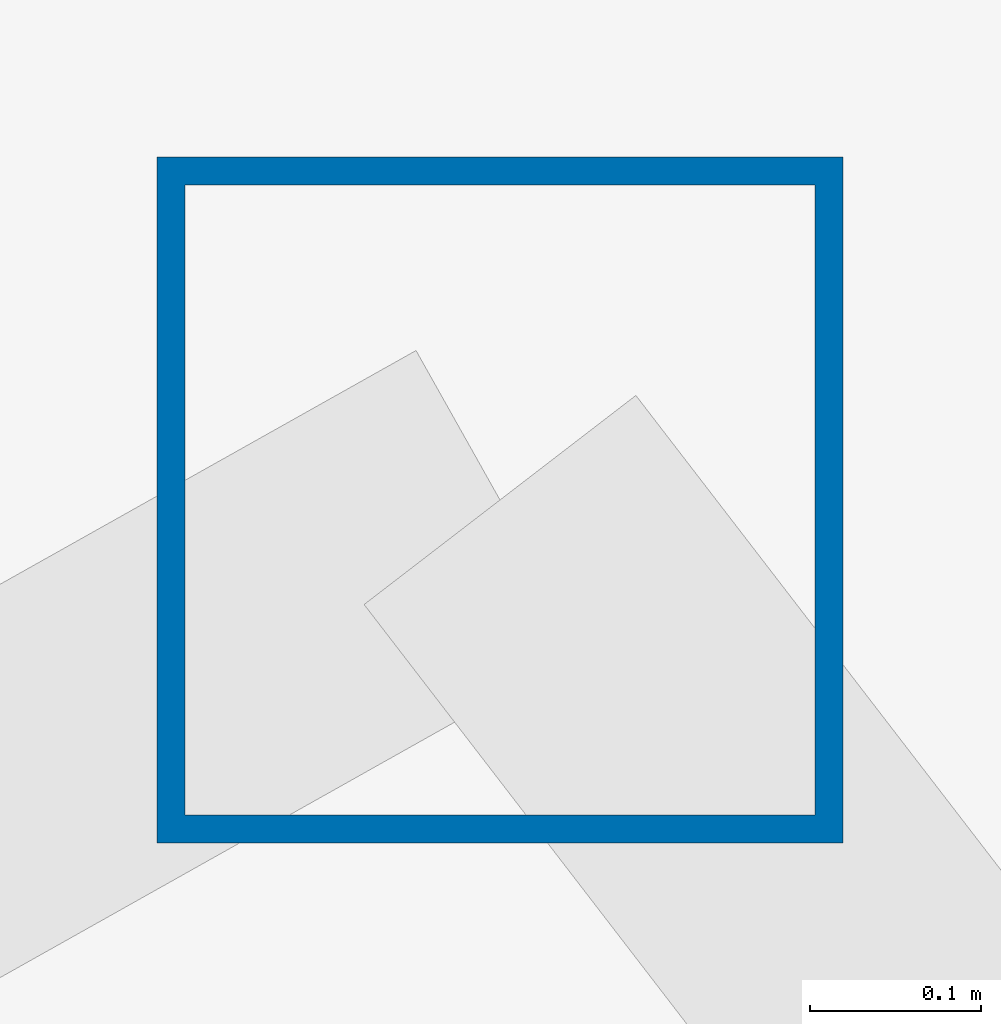
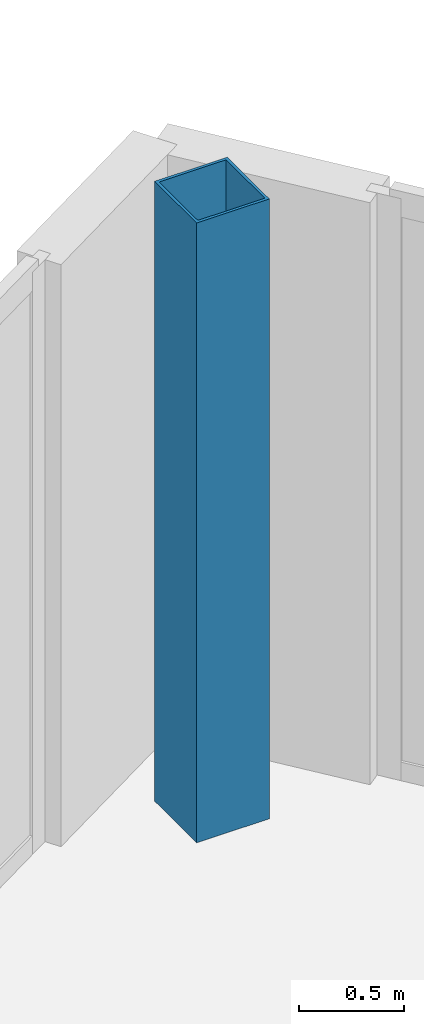
# One storey, part 2 of 25: 1 column.
"""IFC4 building model written with IfcOpenShell, lengths in metres."""

from ifc_helpers import new_model, si_unit, direction, frame, origin, origin_2d, place, context, subcontext, project, spatial, hollow_rectangle, extrude, source, transform, mapped, material, material_profile, profile_set, type_object, type_shapes, element, save


model = new_model("IFC4")

# Units and contexts
model_context = context("Model", 3, precision=1e-05, world=origin(), true_north=direction((0.0, 1.0)))
body_context = subcontext(model_context, "Body", "Model", "MODEL_VIEW")
ifc_project = project(units=[si_unit("LENGTHUNIT", "METRE"), si_unit("AREAUNIT", "SQUARE_METRE"), si_unit("VOLUMEUNIT", "CUBIC_METRE"), si_unit("PLANEANGLEUNIT", "RADIAN"), si_unit("MASSUNIT", "GRAM", prefix="KILO")], contexts=[model_context])

# Site, building, storey
site_placement = place(None, origin())
site = spatial("IfcSite", under=ifc_project, at=site_placement, CompositionType="ELEMENT")
building_placement = place(site_placement, origin())
building = spatial("IfcBuilding", under=site, at=building_placement, Name="Seokmaru Belvedere", CompositionType="ELEMENT")
storey_placement = place(building_placement, frame((0.0, 0.0, 217.5)))
storey = spatial("IfcBuildingStorey", under=building, at=storey_placement, Name="L58", CompositionType="ELEMENT", Elevation=217.5)

# Column
ifc_material = material(Name="Steel SM355 (355 MPa)", Category="steel")
ifc_material_profile = material_profile(ifc_material, hollow_rectangle(XDim=0.39990234375, YDim=0.39990234375, WallThickness=0.01611328125, at=origin_2d()), Name="HSS-400x400x16")
ifc_profile_set = profile_set([ifc_material_profile], Name="Steel SM355 (355 MPa)")
column_type = type_object("IfcColumnType", Name="Perimeter Facet Column HSS-400", PredefinedType="COLUMN", material=ifc_profile_set)
shared_shape = source(origin(), body_context, "Body", "SweptSolid", [
    extrude(hollow_rectangle(XDim=0.39990234375, YDim=0.39990234375, WallThickness=0.01611328125, at=origin_2d()), origin(), (0.0, 0.0, 1.0), 3.60009765625),
])
type_shapes(column_type, [shared_shape])
column_placement = place(storey_placement, frame((-32.649658203125, 21.71044921875, 0.0), z_axis=(0.0, 0.0, 1.0), x_axis=(1.0, 0.0, 0.0)))
element("IfcColumn", 1, at=column_placement, inside=storey, type_object=column_type, Name="L58 Column WF3", PredefinedType="COLUMN", context=body_context, shape_type="MappedRepresentation", body=[
    mapped(shared_shape, transform((0.0, 0.0, 0.0), scale=1.0)),
])

save(model, "model.ifc")
